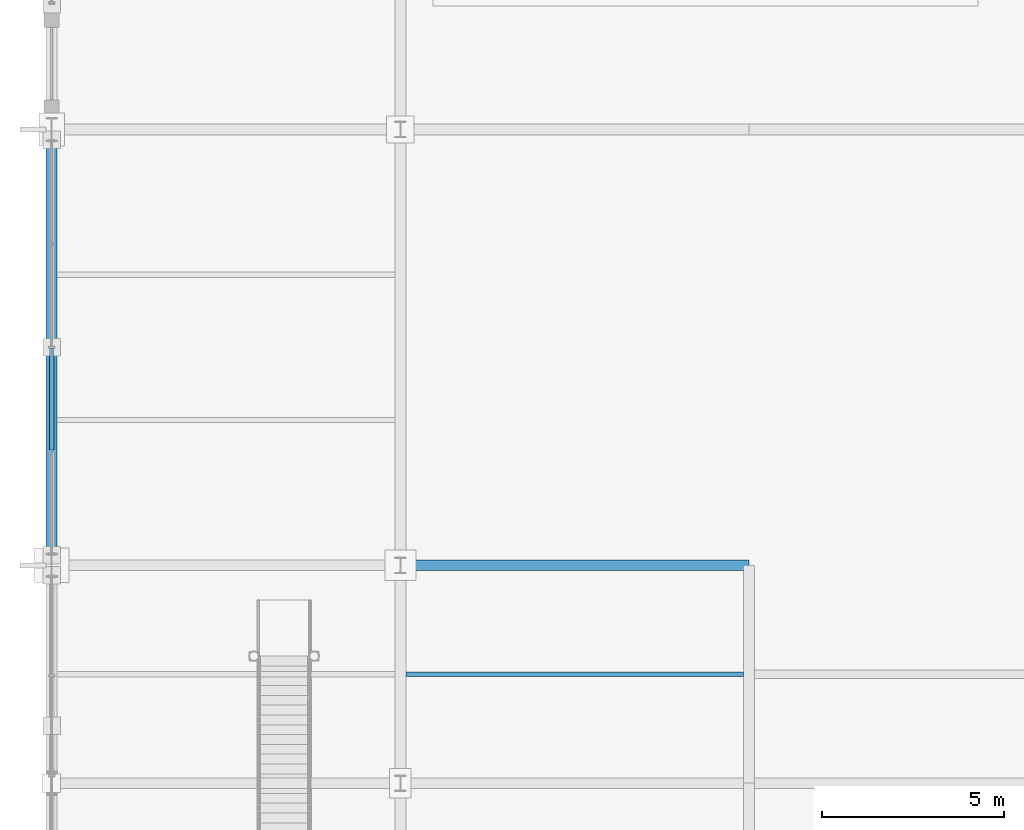
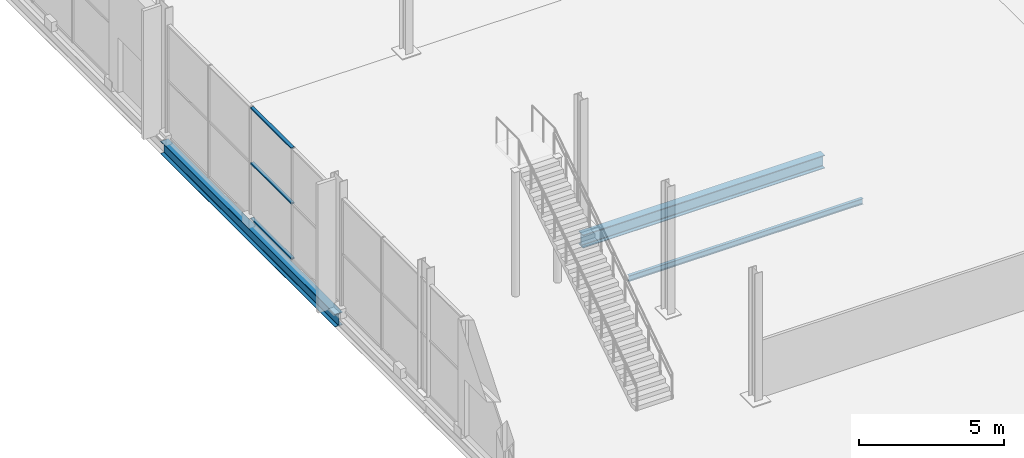
# One storey, part 51 of 196: 3 beams, 3 members, 1 element without a shape of its own.
"""IFC4 building model written with IfcOpenShell, lengths in metres."""

from ifc_helpers import new_model, si_unit, direction, frame, origin, origin_2d, place, context, subcontext, project, spatial, hollow_rectangle, i_section, extrude, material, material_profile, profile_set, type_object, element, aggregate, save


model = new_model("IFC4")

# Units and contexts
model_context = context("Model", 3, precision=1e-05, world=origin(), true_north=direction((0.0, 1.0)))
body_context = subcontext(model_context, "Body", "Model", "MODEL_VIEW")
ifc_project = project(units=[si_unit("LENGTHUNIT", "METRE"), si_unit("AREAUNIT", "SQUARE_METRE"), si_unit("VOLUMEUNIT", "CUBIC_METRE"), si_unit("PLANEANGLEUNIT", "RADIAN"), si_unit("MASSUNIT", "GRAM", prefix="KILO")], contexts=[model_context])

# Site, building, storey
site_placement = place(None, origin())
site = spatial("IfcSite", under=ifc_project, at=site_placement, CompositionType="ELEMENT")
building_placement = place(site_placement, origin())
building = spatial("IfcBuilding", under=site, at=building_placement, Name="Merenkruunu Market Hall", CompositionType="ELEMENT")
storey_placement = place(building_placement, origin())
storey = spatial("IfcBuildingStorey", under=building, at=storey_placement, Name="L00", CompositionType="ELEMENT", Elevation=0.0)

# Curtain wall, members
ifc_material_1 = material(Name="Powder-coated aluminium", Category="aluminium")
curtain_wall_type = type_object("IfcCurtainWallType", Name="Glazed Curtain Wall CW04", PredefinedType="USERDEFINED", material=ifc_material_1)
curtain_wall_placement = place(storey_placement, origin())
curtain_wall = element("IfcCurtainWall", 1, at=curtain_wall_placement, inside=storey, type_object=curtain_wall_type, Name="CW-L00-CWM01-010", ObjectType="GLAZED_FACADE", PredefinedType="USERDEFINED")
ifc_material_profile_1 = material_profile(ifc_material_1, hollow_rectangle(XDim=0.06005859375, YDim=0.125, WallThickness=0.00390625, at=origin_2d()), Name="ALU 60x125x4")
ifc_profile_set_1 = profile_set([ifc_material_profile_1], Name="Powder-coated aluminium")
member_type = type_object("IfcMemberType", Name="Curtain Wall Transom CWT01", PredefinedType="USERDEFINED", material=ifc_profile_set_1)
member_1_placement = place(storey_placement, frame((0.0, 54.77001953125, 0.030029296875), z_axis=(0.0, 1.0, 0.0), x_axis=(0.0, 0.0, 1.0)))
member_1 = element("IfcMember", 2, at=member_1_placement, type_object=member_type, Name="CW04 transom 2.1", ObjectType="TRANSOM", PredefinedType="USERDEFINED", context=body_context, shape_type="SweptSolid", body=[
    extrude(hollow_rectangle(XDim=0.06005859375, YDim=0.125, WallThickness=0.00390625, at=origin_2d()), origin(), (0.0, 0.0, 1.0), 2.800048828125),
])
member_2_placement = place(storey_placement, frame((0.0, 54.77001953125, 2.35009765625), z_axis=(0.0, 1.0, 0.0), x_axis=(0.0, 0.0, 1.0)))
member_2 = element("IfcMember", 3, at=member_2_placement, type_object=member_type, Name="CW04 transom 2.2", ObjectType="TRANSOM", PredefinedType="USERDEFINED", context=body_context, shape_type="SweptSolid", body=[
    extrude(hollow_rectangle(XDim=0.06005859375, YDim=0.125, WallThickness=0.00390625, at=origin_2d()), origin(), (0.0, 0.0, 1.0), 2.800048828125),
])
member_3_placement = place(storey_placement, frame((0.0, 54.77001953125, 4.669921875), z_axis=(0.0, 1.0, 0.0), x_axis=(0.0, 0.0, 1.0)))
member_3 = element("IfcMember", 4, at=member_3_placement, type_object=member_type, Name="CW04 transom 2.3", ObjectType="TRANSOM", PredefinedType="USERDEFINED", context=body_context, shape_type="SweptSolid", body=[
    extrude(hollow_rectangle(XDim=0.06005859375, YDim=0.125, WallThickness=0.00390625, at=origin_2d()), origin(), (0.0, 0.0, 1.0), 2.800048828125),
])
aggregate(curtain_wall, [member_1, member_2, member_3])

# Beams
ifc_material_2 = material(Name="Steel S355J2", Category="steel")
ifc_material_profile_2 = material_profile(ifc_material_2, i_section(OverallWidth=0.300048828125, OverallDepth=0.550048828125, WebThickness=0.014892578125, FlangeThickness=0.029052734375, FilletRadius=0.027099609375, at=origin_2d()), Name="HEB 550")
ifc_profile_set_2 = profile_set([ifc_material_profile_2], Name="Steel S355J2")
beam_type_1 = type_object("IfcBeamType", Name="Primary Floor Girder B02", PredefinedType="BEAM", material=ifc_profile_set_2)
beam_1_placement = place(storey_placement, frame((9.60009765625, 51.60009765625, -0.614990234375), z_axis=(1.0, 0.0, 0.0), x_axis=(0.0, 1.0, 0.0)))
element("IfcBeam", 5, at=beam_1_placement, inside=storey, type_object=beam_type_1, Name="BM-L00-B02-0082", PredefinedType="BEAM", context=body_context, shape_type="SweptSolid", body=[
    extrude(i_section(OverallWidth=0.300048828125, OverallDepth=0.550048828125, WebThickness=0.014892578125, FlangeThickness=0.029052734375, FilletRadius=0.027099609375, at=origin_2d()), origin(), (0.0, 0.0, 1.0), 9.599853515625),
])
ifc_material_profile_3 = material_profile(ifc_material_2, i_section(OverallWidth=0.300048828125, OverallDepth=0.5400390625, WebThickness=0.012451171875, FlangeThickness=0.02392578125, FilletRadius=0.027099609375, at=origin_2d()), Name="HEA 550")
ifc_profile_set_3 = profile_set([ifc_material_profile_3], Name="Steel S355J2")
beam_type_2 = type_object("IfcBeamType", Name="Primary Floor Girder B06", PredefinedType="BEAM", material=ifc_profile_set_3)
beam_2_placement = place(storey_placement, frame((0.0, 51.60009765625, -0.610107421875), z_axis=(0.0, 1.0, 0.0), x_axis=(-1.0, 0.0, 0.0)))
element("IfcBeam", 6, at=beam_2_placement, inside=storey, type_object=beam_type_2, Name="BM-L00-B06-0140", PredefinedType="BEAM", context=body_context, shape_type="SweptSolid", body=[
    extrude(i_section(OverallWidth=0.300048828125, OverallDepth=0.5400390625, WebThickness=0.012451171875, FlangeThickness=0.02392578125, FilletRadius=0.027099609375, at=origin_2d()), origin(), (0.0, 0.0, 1.0), 12.0),
])
ifc_material_profile_4 = material_profile(ifc_material_2, i_section(OverallWidth=0.1201171875, OverallDepth=0.239990234375, WebThickness=0.006103515625, FlangeThickness=0.009765625, FilletRadius=0.014892578125, at=origin_2d()), Name="IPE 240")
ifc_profile_set_4 = profile_set([ifc_material_profile_4], Name="Steel S355J2")
beam_type_3 = type_object("IfcBeamType", Name="Secondary Floor Joist J05", PredefinedType="JOIST", material=ifc_profile_set_4)
beam_3_placement = place(storey_placement, frame((9.7529296875, 48.60009765625, -0.4599609375), z_axis=(1.0, 0.0, 0.0), x_axis=(0.0, 1.0, 0.0)))
element("IfcBeam", 7, at=beam_3_placement, inside=storey, type_object=beam_type_3, Name="BM-L00-J05-0295", PredefinedType="JOIST", context=body_context, shape_type="SweptSolid", body=[
    extrude(i_section(OverallWidth=0.1201171875, OverallDepth=0.239990234375, WebThickness=0.006103515625, FlangeThickness=0.009765625, FilletRadius=0.014892578125, at=origin_2d()), origin(), (0.0, 0.0, 1.0), 9.294189453125),
])

save(model, "model.ifc")
